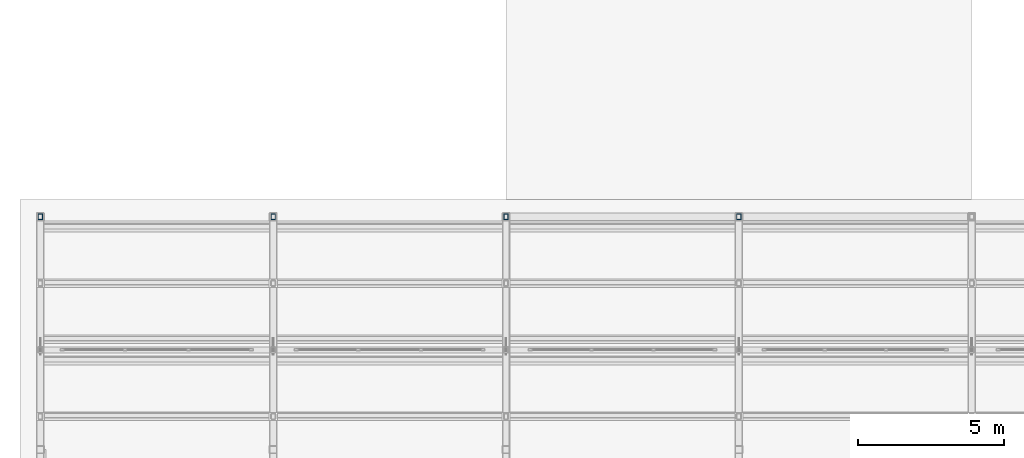
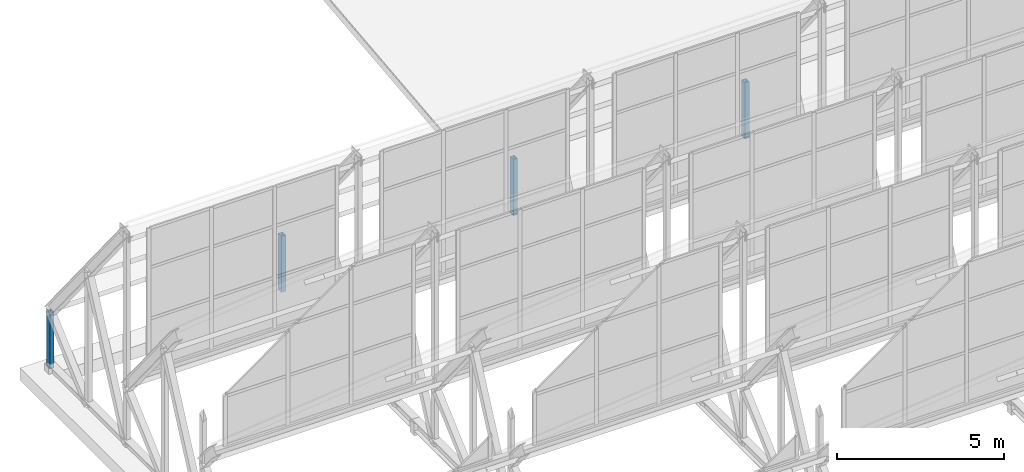
# One storey, part 23 of 34: 4 members.
"""IFC4 building model written with IfcOpenShell, lengths in metres."""

from ifc_helpers import new_model, si_unit, direction, frame, origin, origin_2d, place, context, subcontext, project, spatial, hollow_rectangle, extrude, material, material_profile, profile_set, type_object, element, save


model = new_model("IFC4")

# Units and contexts
model_context = context("Model", 3, precision=1e-05, world=origin(), true_north=direction((0.0, 1.0)))
body_context = subcontext(model_context, "Body", "Model", "MODEL_VIEW")
ifc_project = project(units=[si_unit("LENGTHUNIT", "METRE"), si_unit("AREAUNIT", "SQUARE_METRE"), si_unit("VOLUMEUNIT", "CUBIC_METRE"), si_unit("PLANEANGLEUNIT", "RADIAN"), si_unit("MASSUNIT", "GRAM", prefix="KILO")], contexts=[model_context])

# Site, building, storey
site_placement = place(None, origin())
site = spatial("IfcSite", under=ifc_project, at=site_placement, CompositionType="ELEMENT")
building_placement = place(site_placement, origin())
building = spatial("IfcBuilding", under=site, at=building_placement, Name="Qorikala Patio Media Centre", CompositionType="ELEMENT")
storey_placement = place(building_placement, frame((0.0, 0.0, 32.699951171875)))
storey = spatial("IfcBuildingStorey", under=building, at=storey_placement, Name="RF", CompositionType="ELEMENT", Elevation=32.699951171875)

# Members
ifc_material = material(Name="Steel S355", Category="steel")
ifc_material_profile = material_profile(ifc_material, hollow_rectangle(XDim=0.14990234375, YDim=0.199951171875, WallThickness=0.008056640625, at=origin_2d()), Name="HSS200X150X8")
ifc_profile_set = profile_set([ifc_material_profile], Name="Steel S355")
member_type = type_object("IfcMemberType", Name="STRUT-HSS200", PredefinedType="STRUT", material=ifc_profile_set)
for number, where, z_axis, x_axis, name in (
    (1, (3.0, 35.0, 0.35009765625), (0.0, 0.0, 1.0), (1.0, 0.0, 0.0), "SAW-V1 Truss 1 End Valley Post"),
    (2, (11.0, 35.0, 0.35009765625), (0.0, 0.0, 1.0), (1.0, 0.0, 0.0), "SAW-V1 Truss 2 End Valley Post"),
    (3, (19.0, 35.0, 0.35009765625), (0.0, 0.0, 1.0), (1.0, 0.0, 0.0), "SAW-V1 Truss 3 End Valley Post"),
    (4, (27.0, 35.0, 0.35009765625), (0.0, 0.0, 1.0), (1.0, 0.0, 0.0), "SAW-V1 Truss 4 End Valley Post"),
):
    element("IfcMember", number, at=place(storey_placement, frame(where, z_axis=z_axis, x_axis=x_axis)), inside=storey, type_object=member_type, Name=name, PredefinedType="STRUT", context=body_context, shape_type="SweptSolid", body=[
        extrude(hollow_rectangle(XDim=0.14990234375, YDim=0.199951171875, WallThickness=0.008056640625, at=origin_2d()), origin(), (0.0, 0.0, 1.0), 2.050048828125),
    ])

save(model, "model.ifc")
